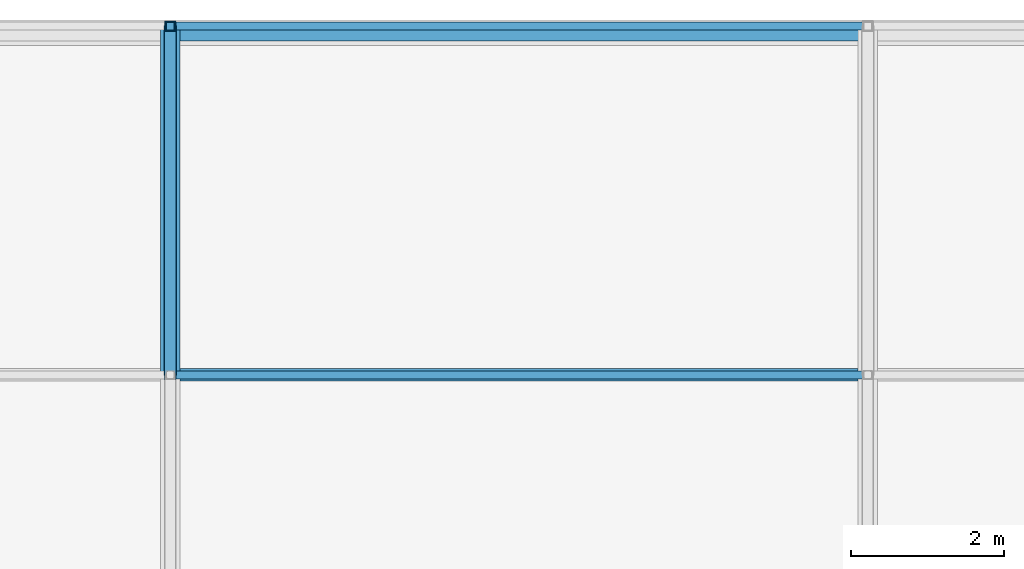
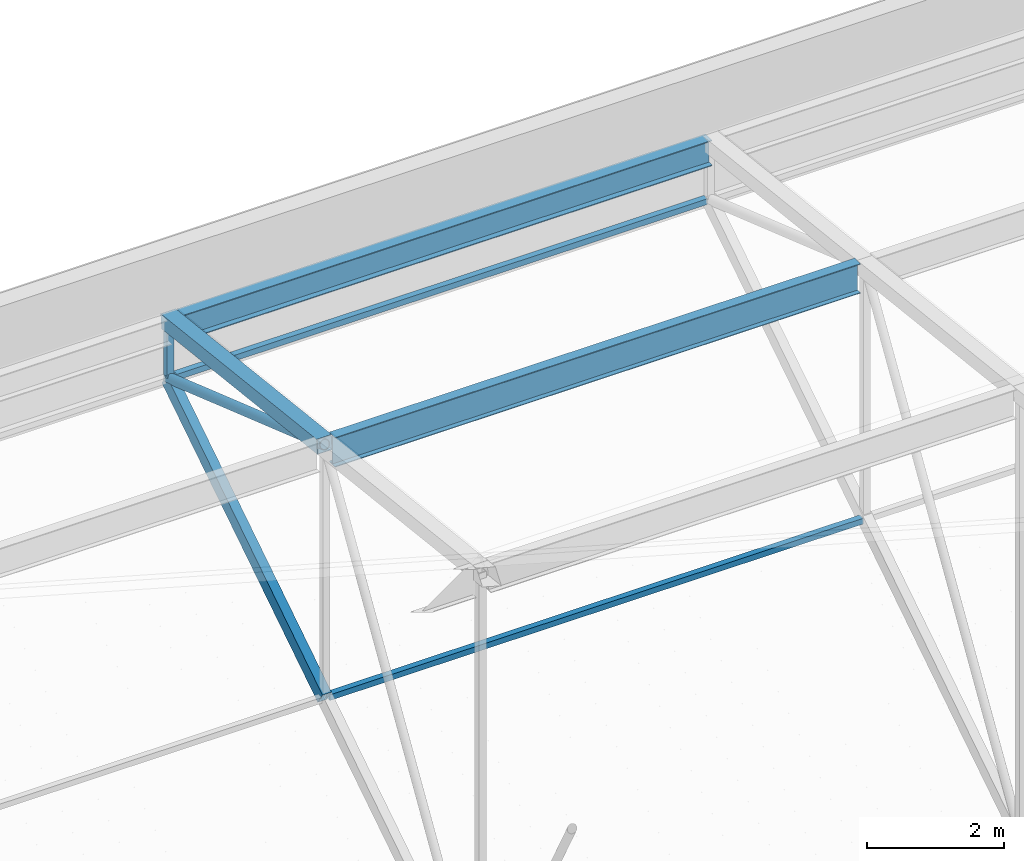
# One storey, part 235 of 500: 8 members.
"""IFC4 building model written with IfcOpenShell, lengths in metres."""

from ifc_helpers import new_model, si_unit, direction, frame, origin, origin_2d, place, context, subcontext, project, spatial, hollow_rectangle, hollow_circle, i_section, extrude, material, material_profile, profile_set, type_object, element, save


model = new_model("IFC4")

# Units and contexts
model_context = context("Model", 3, precision=1e-05, world=origin(), true_north=direction((0.0, 1.0)))
body_context = subcontext(model_context, "Body", "Model", "MODEL_VIEW")
ifc_project = project(units=[si_unit("LENGTHUNIT", "METRE"), si_unit("AREAUNIT", "SQUARE_METRE"), si_unit("VOLUMEUNIT", "CUBIC_METRE"), si_unit("PLANEANGLEUNIT", "RADIAN"), si_unit("MASSUNIT", "GRAM", prefix="KILO")], contexts=[model_context])

# Site, building, storey
site_placement = place(None, origin())
site = spatial("IfcSite", under=ifc_project, at=site_placement, CompositionType="ELEMENT")
building_placement = place(site_placement, origin())
building = spatial("IfcBuilding", under=site, at=building_placement, Name="Shirokan Park Arena", CompositionType="ELEMENT")
storey_placement = place(building_placement, frame((0.0, 0.0, 29.1201171875)))
storey = spatial("IfcBuildingStorey", under=building, at=storey_placement, Name="L06", CompositionType="ELEMENT", Elevation=29.1201171875)

# Members
ifc_material_1 = material(Name="Steel ASTM A500 Grade C", Category="steel")
ifc_material_profile_1 = material_profile(ifc_material_1, hollow_rectangle(XDim=0.152099609375, YDim=0.25390625, WallThickness=0.009521484375, at=origin_2d()), Name="HSS254X152.4X9.5")
ifc_profile_set_1 = profile_set([ifc_material_profile_1], Name="Steel ASTM A500 Grade C")
member_type_1 = type_object("IfcMemberType", Name="Bottom chord HSS254X152.4X9.5", PredefinedType="CHORD", material=ifc_profile_set_1)
member_1_placement = place(storey_placement, frame((18.199951171875, 113.75, 7.6044921875), z_axis=(0.0, 0.840971691661, 0.541079119746), x_axis=(-1.0, 0.0, 0.0)))
element("IfcMember", 1, at=member_1_placement, inside=storey, type_object=member_type_1, Name="Truss T03 bottom chord 28", PredefinedType="CHORD", context=body_context, shape_type="SweptSolid", body=[
    extrude(hollow_rectangle(XDim=0.152099609375, YDim=0.25390625, WallThickness=0.009521484375, at=origin_2d()), origin(), (0.0, 0.0, 1.0), 5.410400390625),
])
ifc_material_profile_2 = material_profile(ifc_material_1, hollow_rectangle(XDim=0.10205078125, YDim=0.10205078125, WallThickness=0.00634765625, at=origin_2d()), Name="HSS101.6X101.6X6.4")
ifc_profile_set_2 = profile_set([ifc_material_profile_2], Name="Steel ASTM A500 Grade C")
member_type_2 = type_object("IfcMemberType", Name="Eave soffit rail HSS101.6X101.6X6.4", PredefinedType="USERDEFINED", material=ifc_profile_set_2)
for number, where, z_axis, x_axis, name in (
    (2, (18.257080078125, 118.300048828125, 10.531982421875), (1.0, 0.0, 0.0), (0.0, 1.0, 0.0), "Eave soffit rail N 29 bay 3"),
    (3, (18.257080078125, 113.75, 7.6044921875), (1.0, 0.0, 0.0), (0.0, 1.0, 0.0), "Eave soffit rail N 28 bay 3"),
):
    element("IfcMember", number, at=place(storey_placement, frame(where, z_axis=z_axis, x_axis=x_axis)), inside=storey, type_object=member_type_2, Name=name, ObjectType="EAVE SOFFIT RAIL", PredefinedType="USERDEFINED", context=body_context, shape_type="SweptSolid", body=[
        extrude(hollow_rectangle(XDim=0.10205078125, YDim=0.10205078125, WallThickness=0.00634765625, at=origin_2d()), origin(), (0.0, 0.0, 1.0), 8.98583984375),
    ])
ifc_material_2 = material(Name="Steel ASTM A992", Category="steel")
ifc_material_profile_3 = material_profile(ifc_material_2, i_section(OverallWidth=0.166015625, OverallDepth=0.528076171875, WebThickness=0.009765625, FlangeThickness=0.013671875, at=origin_2d()), Name="W530X74")
ifc_profile_set_3 = profile_set([ifc_material_profile_3], Name="Steel ASTM A992")
member_type_3 = type_object("IfcMemberType", Name="Purlin W530X74", PredefinedType="PURLIN", material=ifc_profile_set_3)
member_2_placement = place(storey_placement, frame((18.326904296875, 113.75, 11.9658203125), z_axis=(1.0, 0.0, 0.0), x_axis=(0.0, 1.0, 0.0)))
element("IfcMember", 4, at=member_2_placement, inside=storey, type_object=member_type_3, Name="Purlin 28 bay 3", PredefinedType="PURLIN", context=body_context, shape_type="SweptSolid", body=[
    extrude(i_section(OverallWidth=0.166015625, OverallDepth=0.528076171875, WebThickness=0.009765625, FlangeThickness=0.013671875, at=origin_2d()), origin(), (0.0, 0.0, 1.0), 8.84619140625),
])
ifc_material_profile_4 = material_profile(ifc_material_2, i_section(OverallWidth=0.19091796875, OverallDepth=0.45703125, WebThickness=0.009033203125, FlangeThickness=0.014404296875, at=origin_2d()), Name="W460X74")
ifc_profile_set_4 = profile_set([ifc_material_profile_4], Name="Steel ASTM A992")
member_type_4 = type_object("IfcMemberType", Name="Roof edge beam W460X74", PredefinedType="USERDEFINED", material=ifc_profile_set_4)
member_3_placement = place(storey_placement, frame((18.257080078125, 118.20458984375, 11.4814453125), z_axis=(1.0, 0.0, 0.0), x_axis=(0.0, 1.0, 0.0)))
element("IfcMember", 5, at=member_3_placement, inside=storey, type_object=member_type_4, Name="Roof edge beam N 4", ObjectType="ROOF EDGE BEAM", PredefinedType="USERDEFINED", context=body_context, shape_type="SweptSolid", body=[
    extrude(i_section(OverallWidth=0.19091796875, OverallDepth=0.45703125, WebThickness=0.009033203125, FlangeThickness=0.014404296875, at=origin_2d()), origin(), (0.0, 0.0, 1.0), 8.98583984375),
])
ifc_material_profile_5 = material_profile(ifc_material_1, hollow_rectangle(XDim=0.25390625, YDim=0.25390625, WallThickness=0.009521484375, at=origin_2d()), Name="HSS254X254X9.5")
ifc_profile_set_5 = profile_set([ifc_material_profile_5], Name="Steel ASTM A500 Grade C")
member_type_5 = type_object("IfcMemberType", Name="Top chord HSS254X254X9.5", PredefinedType="CHORD", material=ifc_profile_set_5)
member_4_placement = place(storey_placement, frame((18.199951171875, 113.75, 12.102783203125), z_axis=(0.0, 0.993532328996, -0.113549598152), x_axis=(-1.0, 0.0, 0.0)))
element("IfcMember", 6, at=member_4_placement, inside=storey, type_object=member_type_5, Name="Truss T03 top chord 28", PredefinedType="CHORD", context=body_context, shape_type="SweptSolid", body=[
    extrude(hollow_rectangle(XDim=0.25390625, YDim=0.25390625, WallThickness=0.009521484375, at=origin_2d()), origin(), (0.0, 0.0, 1.0), 4.57958984375),
])
ifc_material_profile_6 = material_profile(ifc_material_1, hollow_circle(Radius=0.083984375, WallThickness=0.009521484375, at=origin_2d()), Name="HSS168.3X9.5")
ifc_profile_set_6 = profile_set([ifc_material_profile_6], Name="Steel ASTM A500 Grade C")
member_type_6 = type_object("IfcMemberType", Name="Truss diagonal HSS168.3X9.5", PredefinedType="BRACE", material=ifc_profile_set_6)
member_5_placement = place(storey_placement, frame((18.199951171875, 113.75, 12.102783203125), z_axis=(0.0, 0.945256498603, -0.326328288459), x_axis=(-1.0, 0.0, 0.0)))
element("IfcMember", 7, at=member_5_placement, inside=storey, type_object=member_type_6, Name="Truss T03 diagonal 28", PredefinedType="BRACE", context=body_context, shape_type="SweptSolid", body=[
    extrude(hollow_circle(Radius=0.083984375, WallThickness=0.009521484375, at=origin_2d()), origin(), (0.0, 0.0, 1.0), 4.8134765625),
])
ifc_material_profile_7 = material_profile(ifc_material_1, hollow_rectangle(XDim=0.114013671875, YDim=0.114013671875, WallThickness=0.00634765625, at=origin_2d()), Name="HSS114.3X114.3X6.4")
ifc_profile_set_7 = profile_set([ifc_material_profile_7], Name="Steel ASTM A500 Grade C")
member_type_7 = type_object("IfcMemberType", Name="Truss post HSS114.3X114.3X6.4", PredefinedType="POST", material=ifc_profile_set_7)
member_6_placement = place(storey_placement, frame((18.199951171875, 118.300048828125, 10.531982421875), z_axis=(0.0, 0.0, 1.0), x_axis=(1.0, 0.0, 0.0)))
element("IfcMember", 8, at=member_6_placement, inside=storey, type_object=member_type_7, Name="Truss T03 post 29", PredefinedType="POST", context=body_context, shape_type="SweptSolid", body=[
    extrude(hollow_rectangle(XDim=0.114013671875, YDim=0.114013671875, WallThickness=0.00634765625, at=origin_2d()), origin(), (0.0, 0.0, 1.0), 1.05078125),
])

save(model, "model.ifc")
